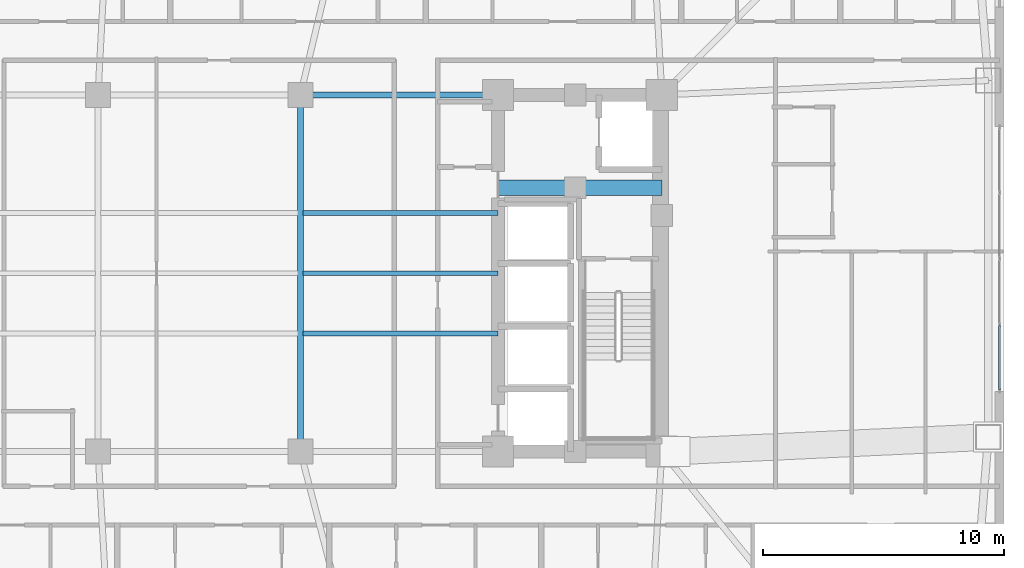
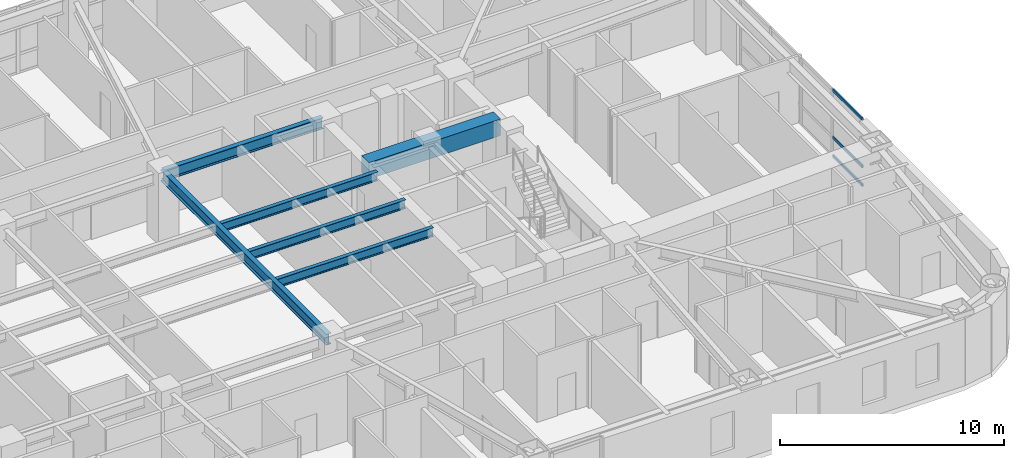
# One storey, part 13 of 28: 6 beams, 3 members, 1 element without a shape of its own.
"""IFC4 building model written with IfcOpenShell, lengths in metres."""

from ifc_helpers import new_model, si_unit, direction, frame, origin, origin_2d, place, context, subcontext, project, spatial, rectangle, hollow_rectangle, i_section, extrude, material, layer, layer_set, material_profile, profile_set, type_object, element, aggregate, save


model = new_model("IFC4")

# Units and contexts
model_context = context("Model", 3, precision=1e-05, world=origin(), true_north=direction((0.0, 1.0)))
body_context = subcontext(model_context, "Body", "Model", "MODEL_VIEW")
ifc_project = project(units=[si_unit("LENGTHUNIT", "METRE"), si_unit("AREAUNIT", "SQUARE_METRE"), si_unit("VOLUMEUNIT", "CUBIC_METRE"), si_unit("PLANEANGLEUNIT", "RADIAN"), si_unit("MASSUNIT", "GRAM", prefix="KILO")], contexts=[model_context])

# Site, building, storey
site_placement = place(None, origin())
site = spatial("IfcSite", under=ifc_project, at=site_placement, CompositionType="ELEMENT")
building_placement = place(site_placement, origin())
building = spatial("IfcBuilding", under=site, at=building_placement, Name="Voryun Gate Residences", CompositionType="ELEMENT")
storey_placement = place(building_placement, frame((0.0, 0.0, 117.0)))
storey = spatial("IfcBuildingStorey", under=building, at=storey_placement, Name="L28", CompositionType="ELEMENT", Elevation=117.0)

# Beams
ifc_material_1 = material(Name="Concrete C60/75", Category="concrete")
ifc_material_profile_1 = material_profile(ifc_material_1, rectangle(XDim=0.64990234375, YDim=0.89990234375, at=origin_2d()), Name="RC-650x900")
ifc_profile_set_1 = profile_set([ifc_material_profile_1], Name="Concrete C60/75")
beam_type_1 = type_object("IfcBeamType", Name="BM_COUP_RC900", PredefinedType="LINTEL", material=ifc_profile_set_1)
beam_1_placement = place(storey_placement, frame((12.39990234375, 3.550048828125, 3.199951171875), z_axis=(1.0, 0.0, 0.0), x_axis=(0.0, 1.0, 0.0)))
element("IfcBeam", 1, at=beam_1_placement, inside=storey, type_object=beam_type_1, Name="BM-L28-EC1", PredefinedType="LINTEL", context=body_context, shape_type="SweptSolid", body=[
    extrude(rectangle(XDim=0.64990234375, YDim=0.89990234375, at=origin_2d()), origin(), (0.0, 0.0, 1.0), 6.800048828125),
])
ifc_material_2 = material(Name="Steel SM355", Category="steel")
ifc_material_profile_2 = material_profile(ifc_material_2, i_section(OverallWidth=0.25, OverallDepth=0.60009765625, WebThickness=0.011962890625, FlangeThickness=0.02197265625, FilletRadius=0.01806640625, at=origin_2d()), Name="H-600x250x12x22")
ifc_profile_set_2 = profile_set([ifc_material_profile_2], Name="Steel SM355")
beam_type_2 = type_object("IfcBeamType", Name="BM_GIRD_600", PredefinedType="USERDEFINED", material=ifc_profile_set_2)
beam_2_placement = place(storey_placement, frame((4.199951171875, 7.39990234375, 3.35009765625), z_axis=(1.0, 0.0, 0.0), x_axis=(0.0, 1.0, 0.0)))
element("IfcBeam", 2, at=beam_2_placement, inside=storey, type_object=beam_type_2, Name="BM-L28-SPG3-N", ObjectType="GIRDER", PredefinedType="USERDEFINED", context=body_context, shape_type="SweptSolid", body=[
    extrude(i_section(OverallWidth=0.25, OverallDepth=0.60009765625, WebThickness=0.011962890625, FlangeThickness=0.02197265625, FilletRadius=0.01806640625, at=origin_2d()), origin(), (0.0, 0.0, 1.0), 8.199951171875),
])
beam_3_placement = place(storey_placement, frame((4.199951171875, -7.39990234375, 3.35009765625), z_axis=(0.0, 1.0, 0.0), x_axis=(-1.0, 0.0, 0.0)))
element("IfcBeam", 3, at=beam_3_placement, inside=storey, type_object=beam_type_2, Name="BM-L28-SPX-E", ObjectType="GIRDER", PredefinedType="USERDEFINED", context=body_context, shape_type="SweptSolid", body=[
    extrude(i_section(OverallWidth=0.25, OverallDepth=0.60009765625, WebThickness=0.011962890625, FlangeThickness=0.02197265625, FilletRadius=0.01806640625, at=origin_2d()), origin(), (0.0, 0.0, 1.0), 14.7998046875),
])
ifc_material_3 = material(Name="Steel SM355", Category="steel")
ifc_material_profile_3 = material_profile(ifc_material_3, i_section(OverallWidth=0.199951171875, OverallDepth=0.47998046875, WebThickness=0.010009765625, FlangeThickness=0.01806640625, FilletRadius=0.01806640625, at=origin_2d()), Name="H-480x200x10x18")
ifc_profile_set_3 = profile_set([ifc_material_profile_3], Name="Steel SM355")
beam_type_3 = type_object("IfcBeamType", Name="BM_SEC_480", PredefinedType="BEAM", material=ifc_profile_set_3)
for number, where, z_axis, x_axis, name in (
    (4, (4.300048828125, -2.5, 3.409912109375), (1.0, 0.0, 0.0), (0.0, 1.0, 0.0), "BM-L28-SEC-CS3"),
    (5, (4.300048828125, 0.0, 3.409912109375), (1.0, 0.0, 0.0), (0.0, 1.0, 0.0), "BM-L28-SEC-CM3"),
    (6, (4.300048828125, 2.5, 3.409912109375), (1.0, 0.0, 0.0), (0.0, 1.0, 0.0), "BM-L28-SEC-CN3"),
):
    element("IfcBeam", number, at=place(storey_placement, frame(where, z_axis=z_axis, x_axis=x_axis)), inside=storey, type_object=beam_type_3, Name=name, PredefinedType="BEAM", context=body_context, shape_type="SweptSolid", body=[
        extrude(i_section(OverallWidth=0.199951171875, OverallDepth=0.47998046875, WebThickness=0.010009765625, FlangeThickness=0.01806640625, FilletRadius=0.01806640625, at=origin_2d()), origin(), (0.0, 0.0, 1.0), 8.099853515625),
    ])

# Curtain wall, members
ifc_material_4 = material(Name="Anodised aluminium", Category="aluminium")
ifc_layer = layer(ifc_material_4, 0.179931640625, Name="CW_SYS_RES_A_DARK_GLASS")
ifc_layer_set = layer_set([ifc_layer], Name="Anodised aluminium")
curtain_wall_type = type_object("IfcCurtainWallType", Name="CW_SYS_RES_A_DARK_GLASS", PredefinedType="NOTDEFINED", material=ifc_layer_set)
curtain_wall_placement = place(storey_placement, origin())
curtain_wall = element("IfcCurtainWall", 7, at=curtain_wall_placement, inside=storey, type_object=curtain_wall_type, Name="Curtain wall CWT-L28-16", PredefinedType="NOTDEFINED")
ifc_material_5 = material(Name="Anodised aluminium", Category="aluminium")
ifc_material_profile_4 = material_profile(ifc_material_5, hollow_rectangle(XDim=0.070068359375, YDim=0.14990234375, WallThickness=0.00390625, at=origin_2d()), Name="ALU-TRAN-150x70x4")
ifc_profile_set_4 = profile_set([ifc_material_profile_4], Name="Anodised aluminium")
member_type = type_object("IfcMemberType", Name="CW_TRAN_RES", PredefinedType="USERDEFINED", material=ifc_profile_set_4)
member_1_placement = place(storey_placement, frame((33.2099609375, -2.178955078125, 0.030029296875), z_axis=(0.0, -1.0, 0.0), x_axis=(1.0, 0.0, 0.0)))
member_1 = element("IfcMember", 8, at=member_1_placement, type_object=member_type, Name="CW3 transom 4.1", ObjectType="TRANSOM", PredefinedType="USERDEFINED", context=body_context, shape_type="SweptSolid", body=[
    extrude(hollow_rectangle(XDim=0.070068359375, YDim=0.14990234375, WallThickness=0.00390625, at=origin_2d()), origin(), (0.0, 0.0, 1.0), 2.658935546875),
])
member_2_placement = place(storey_placement, frame((33.2099609375, -2.178955078125, 1.050048828125), z_axis=(0.0, -1.0, 0.0), x_axis=(1.0, 0.0, 0.0)))
member_2 = element("IfcMember", 9, at=member_2_placement, type_object=member_type, Name="CW3 transom 4.2", ObjectType="TRANSOM", PredefinedType="USERDEFINED", context=body_context, shape_type="SweptSolid", body=[
    extrude(hollow_rectangle(XDim=0.070068359375, YDim=0.14990234375, WallThickness=0.00390625, at=origin_2d()), origin(), (0.0, 0.0, 1.0), 2.658935546875),
])
member_3_placement = place(storey_placement, frame((33.2099609375, -2.178955078125, 3.6201171875), z_axis=(0.0, -1.0, 0.0), x_axis=(1.0, 0.0, 0.0)))
member_3 = element("IfcMember", 10, at=member_3_placement, type_object=member_type, Name="CW3 transom 4.3", ObjectType="TRANSOM", PredefinedType="USERDEFINED", context=body_context, shape_type="SweptSolid", body=[
    extrude(hollow_rectangle(XDim=0.070068359375, YDim=0.14990234375, WallThickness=0.00390625, at=origin_2d()), origin(), (0.0, 0.0, 1.0), 2.658935546875),
])
aggregate(curtain_wall, [member_1, member_2, member_3])

save(model, "model.ifc")
